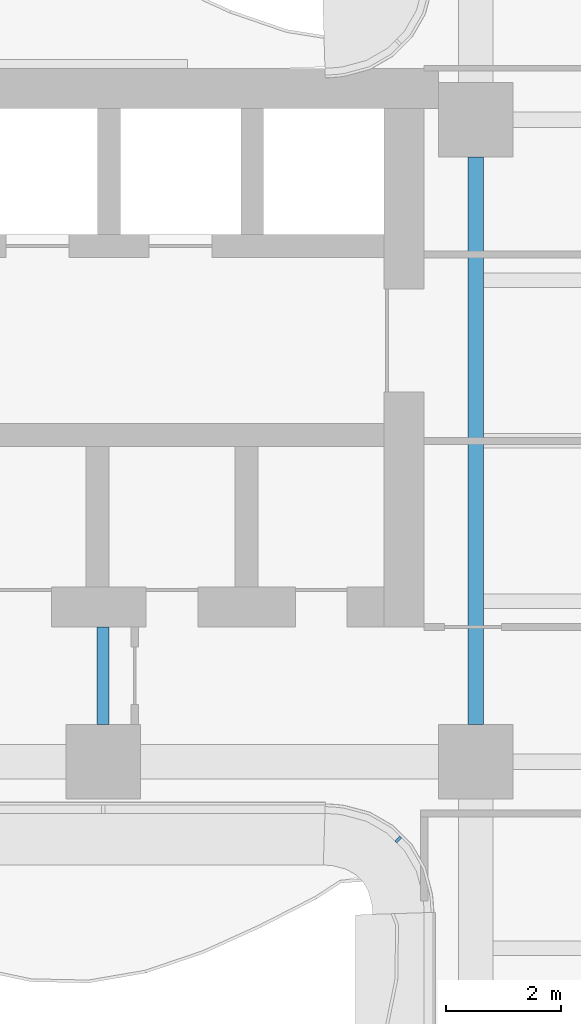
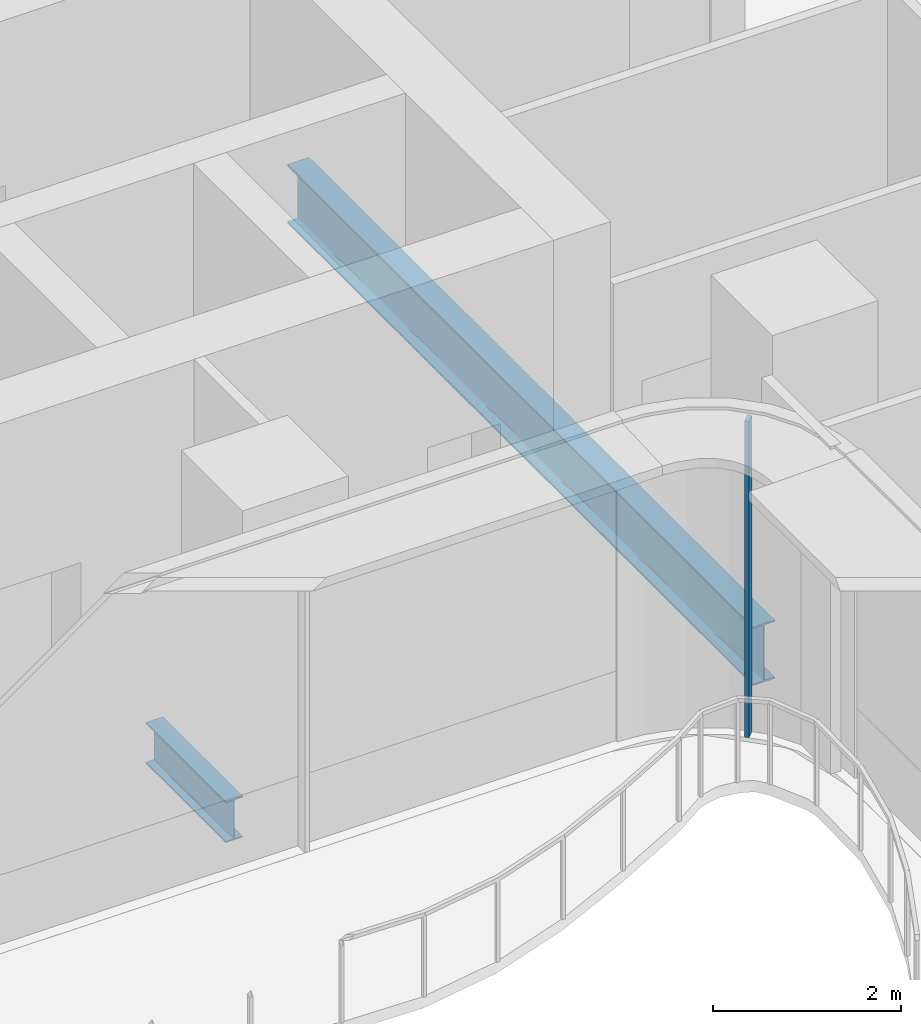
# One storey, part 4 of 21: 2 beams, 1 member, 1 element without a shape of its own.
"""IFC4 building model written with IfcOpenShell, lengths in metres."""

from ifc_helpers import new_model, si_unit, direction, frame, origin, origin_2d, place, context, subcontext, project, spatial, rectangle, i_section, extrude, source, transform, mapped, material, layer, layer_set, material_profile, profile_set, type_object, element, aggregate, save


model = new_model("IFC4")

# Units and contexts
model_context = context("Model", 3, precision=1e-05, world=origin(), true_north=direction((0.0, 1.0)))
body_context = subcontext(model_context, "Body", "Model", "MODEL_VIEW")
ifc_project = project(units=[si_unit("LENGTHUNIT", "METRE"), si_unit("AREAUNIT", "SQUARE_METRE"), si_unit("VOLUMEUNIT", "CUBIC_METRE"), si_unit("PLANEANGLEUNIT", "RADIAN"), si_unit("MASSUNIT", "GRAM", prefix="KILO")], contexts=[model_context])

# Site, building, storey
site_placement = place(None, origin())
site = spatial("IfcSite", under=ifc_project, at=site_placement, CompositionType="ELEMENT")
building_placement = place(site_placement, origin())
building = spatial("IfcBuilding", under=site, at=building_placement, Name="Trellis Farm Tower", CompositionType="ELEMENT")
storey_placement = place(building_placement, frame((0.0, 0.0, 102.0)))
storey = spatial("IfcBuildingStorey", under=building, at=storey_placement, Name="L21", CompositionType="ELEMENT", Elevation=102.0)

# Beams
ifc_material_1 = material(Name="Steel S355", Category="steel")
ifc_material_profile_1 = material_profile(ifc_material_1, i_section(OverallWidth=0.2666015625, OverallDepth=0.76220703125, WebThickness=0.014404296875, FlangeThickness=0.021484375, FilletRadius=0.0166015625, at=origin_2d()), Name="UB 762x267x173")
ifc_profile_set_1 = profile_set([ifc_material_profile_1], Name="Steel S355")
beam_type_1 = type_object("IfcBeamType", Name="UB 762x267x173", PredefinedType="BEAM", material=ifc_profile_set_1)
shared_shape_1 = source(origin(), body_context, "Body", "SweptSolid", [
    extrude(i_section(OverallWidth=0.2666015625, OverallDepth=0.76220703125, WebThickness=0.014404296875, FlangeThickness=0.021484375, FilletRadius=0.0166015625, at=origin_2d()), origin(), (0.0, 0.0, 1.0), 9.89990234375),
])
beam_1_placement = place(storey_placement, frame((-5.60009765625, -4.949951171875, -0.631103515625), z_axis=(0.0, 1.0, 0.0), x_axis=(-1.0, 0.0, 0.0)))
element("IfcBeam", 1, at=beam_1_placement, inside=storey, type_object=beam_type_1, Name="Girder", PredefinedType="BEAM", context=body_context, shape_type="MappedRepresentation", body=[
    mapped(shared_shape_1, transform((0.0, 0.0, 0.0))),
])
ifc_material_profile_2 = material_profile(ifc_material_1, i_section(OverallWidth=0.209228515625, OverallDepth=0.533203125, WebThickness=0.010009765625, FlangeThickness=0.015625, FilletRadius=0.0126953125, at=origin_2d()), Name="UB 533x210x92")
ifc_profile_set_2 = profile_set([ifc_material_profile_2], Name="Steel S355")
beam_type_2 = type_object("IfcBeamType", Name="UB 533x210x92", PredefinedType="BEAM", material=ifc_profile_set_2)
shared_shape_2 = source(origin(), body_context, "Body", "SweptSolid", [
    extrude(i_section(OverallWidth=0.209228515625, OverallDepth=0.533203125, WebThickness=0.010009765625, FlangeThickness=0.015625, FilletRadius=0.0126953125, at=origin_2d()), origin(), (0.0, 0.0, 1.0), 1.699951171875),
])
beam_2_placement = place(storey_placement, frame((-12.10009765625, -4.949951171875, -0.5166015625), z_axis=(0.0, 1.0, 0.0), x_axis=(-1.0, 0.0, 0.0)))
element("IfcBeam", 2, at=beam_2_placement, inside=storey, type_object=beam_type_2, Name="Girder", PredefinedType="BEAM", context=body_context, shape_type="MappedRepresentation", body=[
    mapped(shared_shape_2, transform((0.0, 0.0, 0.0))),
])

# Curtain wall, member
ifc_material_2 = material(Name="Aluminium and glass curtain wall", Category="aluminium")
ifc_layer = layer(ifc_material_2, 0.166015625)
ifc_layer_set = layer_set([ifc_layer], Name="WINTER GARDEN CURTAIN WALL CW3")
curtain_wall_type = type_object("IfcCurtainWallType", Name="WINTER GARDEN CURTAIN WALL CW3", PredefinedType="NOTDEFINED", material=ifc_layer_set)
curtain_wall_placement = place(storey_placement, origin())
curtain_wall = element("IfcCurtainWall", 3, at=curtain_wall_placement, inside=storey, type_object=curtain_wall_type, Name="CW3 001", PredefinedType="NOTDEFINED")
ifc_material_3 = material(Name="Aluminium extrusion 6063-T6", Category="aluminium")
ifc_material_profile_3 = material_profile(ifc_material_3, rectangle(XDim=0.050048828125, YDim=0.1201171875, at=origin_2d()), Name="MULLION 50x120")
ifc_profile_set_3 = profile_set([ifc_material_profile_3], Name="Aluminium extrusion 6063-T6")
member_type = type_object("IfcMemberType", Name="CW3 MULLION 50x120", PredefinedType="MULLION", material=ifc_profile_set_3)
shared_shape_3 = source(origin(), body_context, "Body", "SweptSolid", [
    extrude(rectangle(XDim=0.050048828125, YDim=0.1201171875, at=origin_2d()), origin(), (0.0, 0.0, 1.0), 4.10009765625),
])
member_placement = place(storey_placement, frame((-6.953125, -6.953125, 0.0), z_axis=(0.0, 0.0, 1.0), x_axis=(0.707106781187, -0.707106781187, 0.0)))
member = element("IfcMember", 4, at=member_placement, type_object=member_type, Name="MU3 001-01", PredefinedType="MULLION", context=body_context, shape_type="MappedRepresentation", body=[
    mapped(shared_shape_3, transform((0.0, 0.0, 0.0))),
])
aggregate(curtain_wall, [member])

save(model, "model.ifc")
